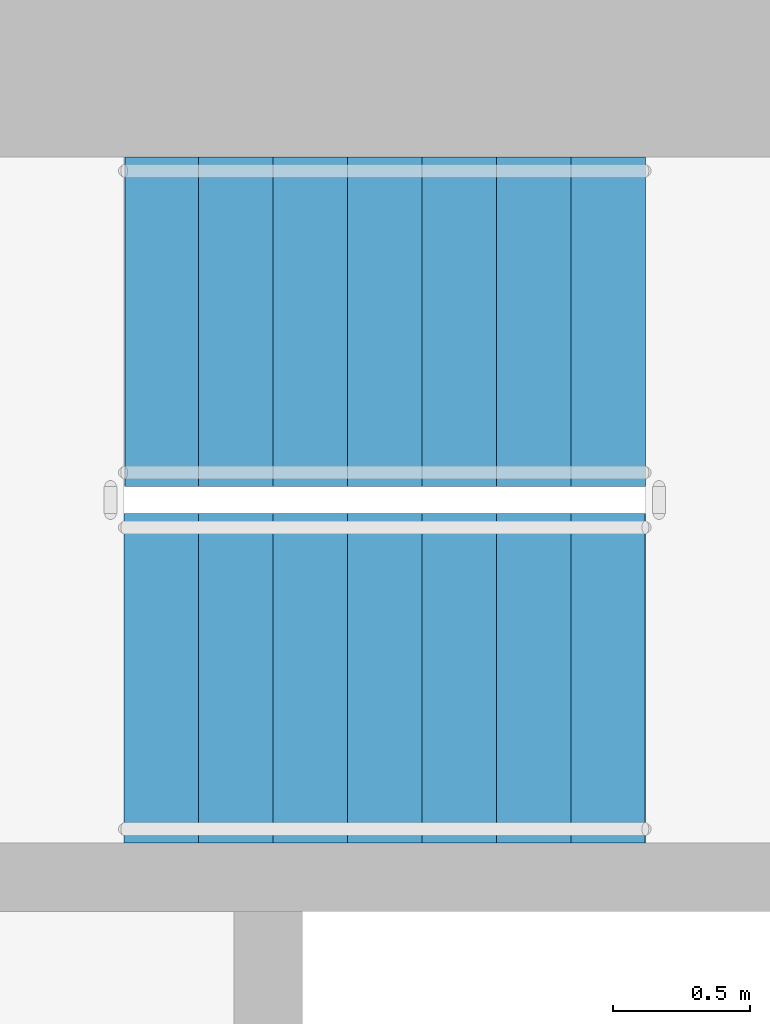
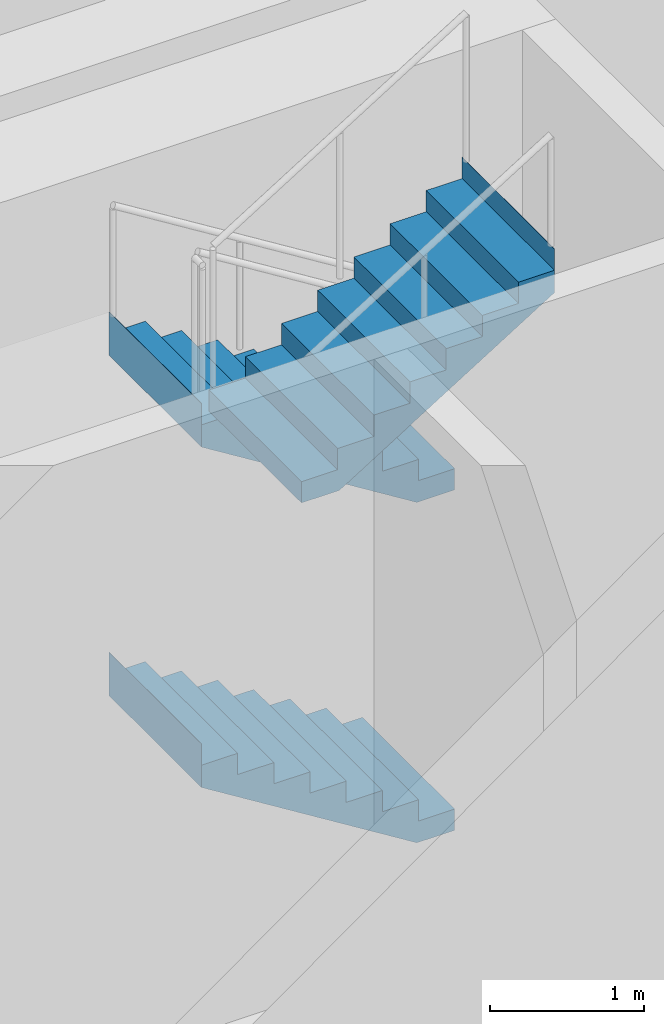
# One storey, part 35 of 42: 3 stair flights, 1 element without a shape of its own.
"""IFC4 building model written with IfcOpenShell, lengths in metres."""

from ifc_helpers import new_model, si_unit, direction, frame, origin, place, context, subcontext, project, spatial, triangles, material, type_object, element, aggregate, save


model = new_model("IFC4")

# Units and contexts
model_context = context("Model", 3, precision=1e-05, world=origin(), true_north=direction((0.0, 1.0)))
body_context = subcontext(model_context, "Body", "Model", "MODEL_VIEW")
ifc_project = project(units=[si_unit("LENGTHUNIT", "METRE"), si_unit("AREAUNIT", "SQUARE_METRE"), si_unit("VOLUMEUNIT", "CUBIC_METRE"), si_unit("PLANEANGLEUNIT", "RADIAN"), si_unit("MASSUNIT", "GRAM", prefix="KILO")], contexts=[model_context])

# Site, building, storey
site_placement = place(None, origin())
site = spatial("IfcSite", under=ifc_project, at=site_placement, CompositionType="ELEMENT")
building_placement = place(site_placement, origin())
building = spatial("IfcBuilding", under=site, at=building_placement, Name="Sahrelin Media Tower", CompositionType="ELEMENT")
storey_placement = place(building_placement, frame((0.0, 0.0, 26.0)))
storey = spatial("IfcBuildingStorey", under=building, at=storey_placement, Name="L03", CompositionType="ELEMENT", Elevation=26.0)

# Stair, stair flights
ifc_material = material(Name="Concrete C40/50", Category="concrete")
stair_type = type_object("IfcStairType", Name="Exit stair 1200", PredefinedType="HALF_TURN_STAIR", material=ifc_material)
stair_placement = place(storey_placement, origin())
stair = element("IfcStair", 1, at=stair_placement, inside=storey, type_object=stair_type, Name="L03 Exit stair ST3", PredefinedType="HALF_TURN_STAIR")
stair_flight_type = type_object("IfcStairFlightType", Name="Stair flight 1200", PredefinedType="STRAIGHT", material=ifc_material)
stair_flight_1_placement = place(storey_placement, frame((7.675048828125, 6.0, 0.0), z_axis=(0.0, 0.0, 1.0), x_axis=(-1.0, 0.0, 0.0)))
stair_flight_1 = element("IfcStairFlight", 2, at=stair_flight_1_placement, type_object=stair_flight_type, Name="ST3 flight 1", NumberOfRisers=8, NumberOfTreads=7, PredefinedType="STRAIGHT", RiserHeight=0.16875, TreadLength=0.271428571, context=body_context, shape_type="Tessellation", body=[
    triangles([(0.283935546875, 0.60009765625, 0.0), (0.283935546875, 0.300048828125, 0.0), (0.283935546875, 0.0, 0.0), (0.283935546875, -0.300048828125, 0.0), (0.283935546875, -0.60009765625, 0.0), (1.89990234375, 0.60009765625, 1.004638671875), (1.89990234375, 0.300048828125, 1.004638671875), (1.89990234375, 0.0, 1.004638671875), (1.89990234375, -0.300048828125, 1.004638671875), (1.89990234375, -0.60009765625, 1.004638671875), (1.89990234375, 0.60009765625, 1.35009765625), (1.89990234375, 0.300048828125, 1.35009765625), (1.89990234375, 0.0, 1.35009765625), (1.89990234375, -0.300048828125, 1.35009765625), (1.89990234375, -0.60009765625, 1.35009765625), (1.89794921875, 0.60009765625, 1.35009765625), (1.89794921875, 0.300048828125, 1.35009765625), (1.89794921875, 0.0, 1.35009765625), (1.89794921875, -0.300048828125, 1.35009765625), (1.89794921875, -0.60009765625, 1.35009765625), (1.89794921875, 0.60009765625, 1.18115234375), (1.89794921875, 0.300048828125, 1.18115234375), (1.89794921875, 0.0, 1.18115234375), (1.89794921875, -0.300048828125, 1.18115234375), (1.89794921875, -0.60009765625, 1.18115234375), (1.628662109375, 0.60009765625, 1.18115234375), (1.628662109375, 0.300048828125, 1.18115234375), (1.628662109375, 0.0, 1.18115234375), (1.628662109375, -0.300048828125, 1.18115234375), (1.628662109375, -0.60009765625, 1.18115234375), (1.628662109375, 0.60009765625, 1.012451171875), (1.628662109375, 0.300048828125, 1.012451171875), (1.628662109375, 0.0, 1.012451171875), (1.628662109375, -0.300048828125, 1.012451171875), (1.628662109375, -0.60009765625, 1.012451171875), (1.357177734375, 0.60009765625, 1.012451171875), (1.357177734375, 0.300048828125, 1.012451171875), (1.357177734375, 0.0, 1.012451171875), (1.357177734375, -0.300048828125, 1.012451171875), (1.357177734375, -0.60009765625, 1.012451171875), (1.357177734375, 0.60009765625, 0.84375), (1.357177734375, 0.300048828125, 0.84375), (1.357177734375, 0.0, 0.84375), (1.357177734375, -0.300048828125, 0.84375), (1.357177734375, -0.60009765625, 0.84375), (1.085693359375, 0.60009765625, 0.84375), (1.085693359375, 0.300048828125, 0.84375), (1.085693359375, 0.0, 0.84375), (1.085693359375, -0.300048828125, 0.84375), (1.085693359375, -0.60009765625, 0.84375), (1.085693359375, 0.60009765625, 0.675048828125), (1.085693359375, 0.300048828125, 0.675048828125), (1.085693359375, 0.0, 0.675048828125), (1.085693359375, -0.300048828125, 0.675048828125), (1.085693359375, -0.60009765625, 0.675048828125), (0.814208984375, 0.60009765625, 0.675048828125), (0.814208984375, 0.300048828125, 0.675048828125), (0.814208984375, 0.0, 0.675048828125), (0.814208984375, -0.300048828125, 0.675048828125), (0.814208984375, -0.60009765625, 0.675048828125), (0.814208984375, 0.60009765625, 0.50634765625), (0.814208984375, 0.300048828125, 0.50634765625), (0.814208984375, 0.0, 0.50634765625), (0.814208984375, -0.300048828125, 0.50634765625), (0.814208984375, -0.60009765625, 0.50634765625), (0.54296875, 0.60009765625, 0.50634765625), (0.54296875, 0.300048828125, 0.50634765625), (0.54296875, 0.0, 0.50634765625), (0.54296875, -0.300048828125, 0.50634765625), (0.54296875, -0.60009765625, 0.50634765625), (0.54296875, 0.60009765625, 0.33740234375), (0.54296875, 0.300048828125, 0.33740234375), (0.54296875, 0.0, 0.33740234375), (0.54296875, -0.300048828125, 0.33740234375), (0.54296875, -0.60009765625, 0.33740234375), (0.271484375, 0.60009765625, 0.33740234375), (0.271484375, 0.300048828125, 0.33740234375), (0.271484375, 0.0, 0.33740234375), (0.271484375, -0.300048828125, 0.33740234375), (0.271484375, -0.60009765625, 0.33740234375), (0.271484375, 0.60009765625, 0.168701171875), (0.271484375, 0.300048828125, 0.168701171875), (0.271484375, 0.0, 0.168701171875), (0.271484375, -0.300048828125, 0.168701171875), (0.271484375, -0.60009765625, 0.168701171875), (0.0, 0.60009765625, 0.168701171875), (0.0, 0.300048828125, 0.168701171875), (0.0, 0.0, 0.168701171875), (0.0, -0.300048828125, 0.168701171875), (0.0, -0.60009765625, 0.168701171875), (0.0, 0.60009765625, 0.0), (0.0, 0.300048828125, 0.0), (0.0, 0.0, 0.0), (0.0, -0.300048828125, 0.0), (0.0, -0.60009765625, 0.0)], [[1, 6, 7], [1, 7, 2], [2, 7, 8], [2, 8, 3], [3, 8, 9], [3, 9, 4], [4, 9, 10], [4, 10, 5], [6, 11, 12], [6, 12, 7], [7, 12, 13], [7, 13, 8], [8, 13, 14], [8, 14, 9], [9, 14, 15], [9, 15, 10], [11, 16, 17], [11, 17, 12], [12, 17, 18], [12, 18, 13], [13, 18, 19], [13, 19, 14], [14, 19, 20], [14, 20, 15], [16, 21, 22], [16, 22, 17], [17, 22, 23], [17, 23, 18], [18, 23, 24], [18, 24, 19], [19, 24, 25], [19, 25, 20], [21, 26, 27], [21, 27, 22], [22, 27, 28], [22, 28, 23], [23, 28, 29], [23, 29, 24], [24, 29, 30], [24, 30, 25], [26, 31, 32], [26, 32, 27], [27, 32, 33], [27, 33, 28], [28, 33, 34], [28, 34, 29], [29, 34, 35], [29, 35, 30], [31, 36, 37], [31, 37, 32], [32, 37, 38], [32, 38, 33], [33, 38, 39], [33, 39, 34], [34, 39, 40], [34, 40, 35], [36, 41, 42], [36, 42, 37], [37, 42, 43], [37, 43, 38], [38, 43, 44], [38, 44, 39], [39, 44, 45], [39, 45, 40], [41, 46, 47], [41, 47, 42], [42, 47, 48], [42, 48, 43], [43, 48, 49], [43, 49, 44], [44, 49, 50], [44, 50, 45], [46, 51, 52], [46, 52, 47], [47, 52, 53], [47, 53, 48], [48, 53, 54], [48, 54, 49], [49, 54, 55], [49, 55, 50], [51, 56, 57], [51, 57, 52], [52, 57, 58], [52, 58, 53], [53, 58, 59], [53, 59, 54], [54, 59, 60], [54, 60, 55], [56, 61, 62], [56, 62, 57], [57, 62, 63], [57, 63, 58], [58, 63, 64], [58, 64, 59], [59, 64, 65], [59, 65, 60], [61, 66, 67], [61, 67, 62], [62, 67, 68], [62, 68, 63], [63, 68, 69], [63, 69, 64], [64, 69, 70], [64, 70, 65], [66, 71, 72], [66, 72, 67], [67, 72, 73], [67, 73, 68], [68, 73, 74], [68, 74, 69], [69, 74, 75], [69, 75, 70], [71, 76, 77], [71, 77, 72], [72, 77, 78], [72, 78, 73], [73, 78, 79], [73, 79, 74], [74, 79, 80], [74, 80, 75], [76, 81, 82], [76, 82, 77], [77, 82, 83], [77, 83, 78], [78, 83, 84], [78, 84, 79], [79, 84, 85], [79, 85, 80], [81, 86, 87], [81, 87, 82], [82, 87, 88], [82, 88, 83], [83, 88, 89], [83, 89, 84], [84, 89, 90], [84, 90, 85], [86, 91, 92], [86, 92, 87], [87, 92, 93], [87, 93, 88], [88, 93, 94], [88, 94, 89], [89, 94, 95], [89, 95, 90], [91, 1, 2], [91, 2, 92], [92, 2, 3], [92, 3, 93], [93, 3, 4], [93, 4, 94], [94, 4, 5], [94, 5, 95], [85, 90, 95], [81, 91, 86], [85, 75, 80], [81, 76, 71], [75, 65, 70], [71, 66, 61], [65, 55, 60], [61, 56, 51], [55, 45, 50], [51, 46, 41], [45, 35, 40], [41, 36, 31], [35, 25, 30], [31, 26, 21], [25, 15, 20], [21, 16, 11], [95, 5, 85], [91, 81, 1], [5, 55, 65], [1, 61, 51], [25, 10, 15], [21, 11, 6], [75, 85, 5], [71, 1, 81], [10, 45, 55], [6, 51, 41], [35, 10, 25], [31, 21, 6], [65, 75, 5], [61, 1, 71], [45, 10, 35], [41, 31, 6], [5, 10, 55], [1, 51, 6]], closed=True),
])
stair_flight_2_placement = place(storey_placement, frame((7.675048828125, 6.0, 2.699951171875), z_axis=(0.0, 0.0, 1.0), x_axis=(-1.0, 0.0, 0.0)))
stair_flight_2 = element("IfcStairFlight", 3, at=stair_flight_2_placement, type_object=stair_flight_type, Name="ST3 flight 3", NumberOfRisers=8, NumberOfTreads=7, PredefinedType="STRAIGHT", RiserHeight=0.16875, TreadLength=0.271428571, context=body_context, shape_type="Tessellation", body=[
    triangles([(0.283935546875, 0.60009765625, 0.0), (0.283935546875, 0.300048828125, 0.0), (0.283935546875, 0.0, 0.0), (0.283935546875, -0.300048828125, 0.0), (0.283935546875, -0.60009765625, 0.0), (1.89990234375, 0.60009765625, 1.004638671875), (1.89990234375, 0.300048828125, 1.004638671875), (1.89990234375, 0.0, 1.004638671875), (1.89990234375, -0.300048828125, 1.004638671875), (1.89990234375, -0.60009765625, 1.004638671875), (1.89990234375, 0.60009765625, 1.35009765625), (1.89990234375, 0.300048828125, 1.35009765625), (1.89990234375, 0.0, 1.35009765625), (1.89990234375, -0.300048828125, 1.35009765625), (1.89990234375, -0.60009765625, 1.35009765625), (1.89794921875, 0.60009765625, 1.35009765625), (1.89794921875, 0.300048828125, 1.35009765625), (1.89794921875, 0.0, 1.35009765625), (1.89794921875, -0.300048828125, 1.35009765625), (1.89794921875, -0.60009765625, 1.35009765625), (1.89794921875, 0.60009765625, 1.18115234375), (1.89794921875, 0.300048828125, 1.18115234375), (1.89794921875, 0.0, 1.18115234375), (1.89794921875, -0.300048828125, 1.18115234375), (1.89794921875, -0.60009765625, 1.18115234375), (1.628662109375, 0.60009765625, 1.18115234375), (1.628662109375, 0.300048828125, 1.18115234375), (1.628662109375, 0.0, 1.18115234375), (1.628662109375, -0.300048828125, 1.18115234375), (1.628662109375, -0.60009765625, 1.18115234375), (1.628662109375, 0.60009765625, 1.012451171875), (1.628662109375, 0.300048828125, 1.012451171875), (1.628662109375, 0.0, 1.012451171875), (1.628662109375, -0.300048828125, 1.012451171875), (1.628662109375, -0.60009765625, 1.012451171875), (1.357177734375, 0.60009765625, 1.012451171875), (1.357177734375, 0.300048828125, 1.012451171875), (1.357177734375, 0.0, 1.012451171875), (1.357177734375, -0.300048828125, 1.012451171875), (1.357177734375, -0.60009765625, 1.012451171875), (1.357177734375, 0.60009765625, 0.84375), (1.357177734375, 0.300048828125, 0.84375), (1.357177734375, 0.0, 0.84375), (1.357177734375, -0.300048828125, 0.84375), (1.357177734375, -0.60009765625, 0.84375), (1.085693359375, 0.60009765625, 0.84375), (1.085693359375, 0.300048828125, 0.84375), (1.085693359375, 0.0, 0.84375), (1.085693359375, -0.300048828125, 0.84375), (1.085693359375, -0.60009765625, 0.84375), (1.085693359375, 0.60009765625, 0.675048828125), (1.085693359375, 0.300048828125, 0.675048828125), (1.085693359375, 0.0, 0.675048828125), (1.085693359375, -0.300048828125, 0.675048828125), (1.085693359375, -0.60009765625, 0.675048828125), (0.814208984375, 0.60009765625, 0.675048828125), (0.814208984375, 0.300048828125, 0.675048828125), (0.814208984375, 0.0, 0.675048828125), (0.814208984375, -0.300048828125, 0.675048828125), (0.814208984375, -0.60009765625, 0.675048828125), (0.814208984375, 0.60009765625, 0.50634765625), (0.814208984375, 0.300048828125, 0.50634765625), (0.814208984375, 0.0, 0.50634765625), (0.814208984375, -0.300048828125, 0.50634765625), (0.814208984375, -0.60009765625, 0.50634765625), (0.54296875, 0.60009765625, 0.50634765625), (0.54296875, 0.300048828125, 0.50634765625), (0.54296875, 0.0, 0.50634765625), (0.54296875, -0.300048828125, 0.50634765625), (0.54296875, -0.60009765625, 0.50634765625), (0.54296875, 0.60009765625, 0.33740234375), (0.54296875, 0.300048828125, 0.33740234375), (0.54296875, 0.0, 0.33740234375), (0.54296875, -0.300048828125, 0.33740234375), (0.54296875, -0.60009765625, 0.33740234375), (0.271484375, 0.60009765625, 0.33740234375), (0.271484375, 0.300048828125, 0.33740234375), (0.271484375, 0.0, 0.33740234375), (0.271484375, -0.300048828125, 0.33740234375), (0.271484375, -0.60009765625, 0.33740234375), (0.271484375, 0.60009765625, 0.168701171875), (0.271484375, 0.300048828125, 0.168701171875), (0.271484375, 0.0, 0.168701171875), (0.271484375, -0.300048828125, 0.168701171875), (0.271484375, -0.60009765625, 0.168701171875), (0.0, 0.60009765625, 0.168701171875), (0.0, 0.300048828125, 0.168701171875), (0.0, 0.0, 0.168701171875), (0.0, -0.300048828125, 0.168701171875), (0.0, -0.60009765625, 0.168701171875), (0.0, 0.60009765625, 0.0), (0.0, 0.300048828125, 0.0), (0.0, 0.0, 0.0), (0.0, -0.300048828125, 0.0), (0.0, -0.60009765625, 0.0)], [[1, 6, 7], [1, 7, 2], [2, 7, 8], [2, 8, 3], [3, 8, 9], [3, 9, 4], [4, 9, 10], [4, 10, 5], [6, 11, 12], [6, 12, 7], [7, 12, 13], [7, 13, 8], [8, 13, 14], [8, 14, 9], [9, 14, 15], [9, 15, 10], [11, 16, 17], [11, 17, 12], [12, 17, 18], [12, 18, 13], [13, 18, 19], [13, 19, 14], [14, 19, 20], [14, 20, 15], [16, 21, 22], [16, 22, 17], [17, 22, 23], [17, 23, 18], [18, 23, 24], [18, 24, 19], [19, 24, 25], [19, 25, 20], [21, 26, 27], [21, 27, 22], [22, 27, 28], [22, 28, 23], [23, 28, 29], [23, 29, 24], [24, 29, 30], [24, 30, 25], [26, 31, 32], [26, 32, 27], [27, 32, 33], [27, 33, 28], [28, 33, 34], [28, 34, 29], [29, 34, 35], [29, 35, 30], [31, 36, 37], [31, 37, 32], [32, 37, 38], [32, 38, 33], [33, 38, 39], [33, 39, 34], [34, 39, 40], [34, 40, 35], [36, 41, 42], [36, 42, 37], [37, 42, 43], [37, 43, 38], [38, 43, 44], [38, 44, 39], [39, 44, 45], [39, 45, 40], [41, 46, 47], [41, 47, 42], [42, 47, 48], [42, 48, 43], [43, 48, 49], [43, 49, 44], [44, 49, 50], [44, 50, 45], [46, 51, 52], [46, 52, 47], [47, 52, 53], [47, 53, 48], [48, 53, 54], [48, 54, 49], [49, 54, 55], [49, 55, 50], [51, 56, 57], [51, 57, 52], [52, 57, 58], [52, 58, 53], [53, 58, 59], [53, 59, 54], [54, 59, 60], [54, 60, 55], [56, 61, 62], [56, 62, 57], [57, 62, 63], [57, 63, 58], [58, 63, 64], [58, 64, 59], [59, 64, 65], [59, 65, 60], [61, 66, 67], [61, 67, 62], [62, 67, 68], [62, 68, 63], [63, 68, 69], [63, 69, 64], [64, 69, 70], [64, 70, 65], [66, 71, 72], [66, 72, 67], [67, 72, 73], [67, 73, 68], [68, 73, 74], [68, 74, 69], [69, 74, 75], [69, 75, 70], [71, 76, 77], [71, 77, 72], [72, 77, 78], [72, 78, 73], [73, 78, 79], [73, 79, 74], [74, 79, 80], [74, 80, 75], [76, 81, 82], [76, 82, 77], [77, 82, 83], [77, 83, 78], [78, 83, 84], [78, 84, 79], [79, 84, 85], [79, 85, 80], [81, 86, 87], [81, 87, 82], [82, 87, 88], [82, 88, 83], [83, 88, 89], [83, 89, 84], [84, 89, 90], [84, 90, 85], [86, 91, 92], [86, 92, 87], [87, 92, 93], [87, 93, 88], [88, 93, 94], [88, 94, 89], [89, 94, 95], [89, 95, 90], [91, 1, 2], [91, 2, 92], [92, 2, 3], [92, 3, 93], [93, 3, 4], [93, 4, 94], [94, 4, 5], [94, 5, 95], [85, 90, 95], [81, 91, 86], [85, 75, 80], [81, 76, 71], [75, 65, 70], [71, 66, 61], [65, 55, 60], [61, 56, 51], [55, 45, 50], [51, 46, 41], [45, 35, 40], [41, 36, 31], [35, 25, 30], [31, 26, 21], [25, 15, 20], [21, 16, 11], [95, 5, 85], [91, 81, 1], [5, 55, 65], [1, 61, 51], [25, 10, 15], [21, 11, 6], [75, 85, 5], [71, 1, 81], [10, 45, 55], [6, 51, 41], [35, 10, 25], [31, 21, 6], [65, 75, 5], [61, 1, 71], [45, 10, 35], [41, 31, 6], [5, 10, 55], [1, 51, 6]], closed=True),
])
stair_flight_3_placement = place(storey_placement, frame((5.77490234375, 4.699951171875, 4.050048828125), z_axis=(0.0, 0.0, 1.0), x_axis=(1.0, 0.0, 0.0)))
stair_flight_3 = element("IfcStairFlight", 4, at=stair_flight_3_placement, type_object=stair_flight_type, Name="ST3 flight 4", NumberOfRisers=8, NumberOfTreads=7, PredefinedType="STRAIGHT", RiserHeight=0.16875, TreadLength=0.271428571, context=body_context, shape_type="Tessellation", body=[
    triangles([(0.283935546875, 0.60009765625, 0.0), (0.283935546875, 0.300048828125, 0.0), (0.283935546875, 0.0, 0.0), (0.283935546875, -0.300048828125, 0.0), (0.283935546875, -0.60009765625, 0.0), (1.89990234375, 0.60009765625, 1.004638671875), (1.89990234375, 0.300048828125, 1.004638671875), (1.89990234375, 0.0, 1.004638671875), (1.89990234375, -0.300048828125, 1.004638671875), (1.89990234375, -0.60009765625, 1.004638671875), (1.89990234375, 0.60009765625, 1.35009765625), (1.89990234375, 0.300048828125, 1.35009765625), (1.89990234375, 0.0, 1.35009765625), (1.89990234375, -0.300048828125, 1.35009765625), (1.89990234375, -0.60009765625, 1.35009765625), (1.89794921875, 0.60009765625, 1.35009765625), (1.89794921875, 0.300048828125, 1.35009765625), (1.89794921875, 0.0, 1.35009765625), (1.89794921875, -0.300048828125, 1.35009765625), (1.89794921875, -0.60009765625, 1.35009765625), (1.89794921875, 0.60009765625, 1.18115234375), (1.89794921875, 0.300048828125, 1.18115234375), (1.89794921875, 0.0, 1.18115234375), (1.89794921875, -0.300048828125, 1.18115234375), (1.89794921875, -0.60009765625, 1.18115234375), (1.628662109375, 0.60009765625, 1.18115234375), (1.628662109375, 0.300048828125, 1.18115234375), (1.628662109375, 0.0, 1.18115234375), (1.628662109375, -0.300048828125, 1.18115234375), (1.628662109375, -0.60009765625, 1.18115234375), (1.628662109375, 0.60009765625, 1.012451171875), (1.628662109375, 0.300048828125, 1.012451171875), (1.628662109375, 0.0, 1.012451171875), (1.628662109375, -0.300048828125, 1.012451171875), (1.628662109375, -0.60009765625, 1.012451171875), (1.357177734375, 0.60009765625, 1.012451171875), (1.357177734375, 0.300048828125, 1.012451171875), (1.357177734375, 0.0, 1.012451171875), (1.357177734375, -0.300048828125, 1.012451171875), (1.357177734375, -0.60009765625, 1.012451171875), (1.357177734375, 0.60009765625, 0.84375), (1.357177734375, 0.300048828125, 0.84375), (1.357177734375, 0.0, 0.84375), (1.357177734375, -0.300048828125, 0.84375), (1.357177734375, -0.60009765625, 0.84375), (1.085693359375, 0.60009765625, 0.84375), (1.085693359375, 0.300048828125, 0.84375), (1.085693359375, 0.0, 0.84375), (1.085693359375, -0.300048828125, 0.84375), (1.085693359375, -0.60009765625, 0.84375), (1.085693359375, 0.60009765625, 0.675048828125), (1.085693359375, 0.300048828125, 0.675048828125), (1.085693359375, 0.0, 0.675048828125), (1.085693359375, -0.300048828125, 0.675048828125), (1.085693359375, -0.60009765625, 0.675048828125), (0.814208984375, 0.60009765625, 0.675048828125), (0.814208984375, 0.300048828125, 0.675048828125), (0.814208984375, 0.0, 0.675048828125), (0.814208984375, -0.300048828125, 0.675048828125), (0.814208984375, -0.60009765625, 0.675048828125), (0.814208984375, 0.60009765625, 0.50634765625), (0.814208984375, 0.300048828125, 0.50634765625), (0.814208984375, 0.0, 0.50634765625), (0.814208984375, -0.300048828125, 0.50634765625), (0.814208984375, -0.60009765625, 0.50634765625), (0.54296875, 0.60009765625, 0.50634765625), (0.54296875, 0.300048828125, 0.50634765625), (0.54296875, 0.0, 0.50634765625), (0.54296875, -0.300048828125, 0.50634765625), (0.54296875, -0.60009765625, 0.50634765625), (0.54296875, 0.60009765625, 0.33740234375), (0.54296875, 0.300048828125, 0.33740234375), (0.54296875, 0.0, 0.33740234375), (0.54296875, -0.300048828125, 0.33740234375), (0.54296875, -0.60009765625, 0.33740234375), (0.271484375, 0.60009765625, 0.33740234375), (0.271484375, 0.300048828125, 0.33740234375), (0.271484375, 0.0, 0.33740234375), (0.271484375, -0.300048828125, 0.33740234375), (0.271484375, -0.60009765625, 0.33740234375), (0.271484375, 0.60009765625, 0.168701171875), (0.271484375, 0.300048828125, 0.168701171875), (0.271484375, 0.0, 0.168701171875), (0.271484375, -0.300048828125, 0.168701171875), (0.271484375, -0.60009765625, 0.168701171875), (0.0, 0.60009765625, 0.168701171875), (0.0, 0.300048828125, 0.168701171875), (0.0, 0.0, 0.168701171875), (0.0, -0.300048828125, 0.168701171875), (0.0, -0.60009765625, 0.168701171875), (0.0, 0.60009765625, 0.0), (0.0, 0.300048828125, 0.0), (0.0, 0.0, 0.0), (0.0, -0.300048828125, 0.0), (0.0, -0.60009765625, 0.0)], [[1, 6, 7], [1, 7, 2], [2, 7, 8], [2, 8, 3], [3, 8, 9], [3, 9, 4], [4, 9, 10], [4, 10, 5], [6, 11, 12], [6, 12, 7], [7, 12, 13], [7, 13, 8], [8, 13, 14], [8, 14, 9], [9, 14, 15], [9, 15, 10], [11, 16, 17], [11, 17, 12], [12, 17, 18], [12, 18, 13], [13, 18, 19], [13, 19, 14], [14, 19, 20], [14, 20, 15], [16, 21, 22], [16, 22, 17], [17, 22, 23], [17, 23, 18], [18, 23, 24], [18, 24, 19], [19, 24, 25], [19, 25, 20], [21, 26, 27], [21, 27, 22], [22, 27, 28], [22, 28, 23], [23, 28, 29], [23, 29, 24], [24, 29, 30], [24, 30, 25], [26, 31, 32], [26, 32, 27], [27, 32, 33], [27, 33, 28], [28, 33, 34], [28, 34, 29], [29, 34, 35], [29, 35, 30], [31, 36, 37], [31, 37, 32], [32, 37, 38], [32, 38, 33], [33, 38, 39], [33, 39, 34], [34, 39, 40], [34, 40, 35], [36, 41, 42], [36, 42, 37], [37, 42, 43], [37, 43, 38], [38, 43, 44], [38, 44, 39], [39, 44, 45], [39, 45, 40], [41, 46, 47], [41, 47, 42], [42, 47, 48], [42, 48, 43], [43, 48, 49], [43, 49, 44], [44, 49, 50], [44, 50, 45], [46, 51, 52], [46, 52, 47], [47, 52, 53], [47, 53, 48], [48, 53, 54], [48, 54, 49], [49, 54, 55], [49, 55, 50], [51, 56, 57], [51, 57, 52], [52, 57, 58], [52, 58, 53], [53, 58, 59], [53, 59, 54], [54, 59, 60], [54, 60, 55], [56, 61, 62], [56, 62, 57], [57, 62, 63], [57, 63, 58], [58, 63, 64], [58, 64, 59], [59, 64, 65], [59, 65, 60], [61, 66, 67], [61, 67, 62], [62, 67, 68], [62, 68, 63], [63, 68, 69], [63, 69, 64], [64, 69, 70], [64, 70, 65], [66, 71, 72], [66, 72, 67], [67, 72, 73], [67, 73, 68], [68, 73, 74], [68, 74, 69], [69, 74, 75], [69, 75, 70], [71, 76, 77], [71, 77, 72], [72, 77, 78], [72, 78, 73], [73, 78, 79], [73, 79, 74], [74, 79, 80], [74, 80, 75], [76, 81, 82], [76, 82, 77], [77, 82, 83], [77, 83, 78], [78, 83, 84], [78, 84, 79], [79, 84, 85], [79, 85, 80], [81, 86, 87], [81, 87, 82], [82, 87, 88], [82, 88, 83], [83, 88, 89], [83, 89, 84], [84, 89, 90], [84, 90, 85], [86, 91, 92], [86, 92, 87], [87, 92, 93], [87, 93, 88], [88, 93, 94], [88, 94, 89], [89, 94, 95], [89, 95, 90], [91, 1, 2], [91, 2, 92], [92, 2, 3], [92, 3, 93], [93, 3, 4], [93, 4, 94], [94, 4, 5], [94, 5, 95], [85, 90, 95], [81, 91, 86], [85, 75, 80], [81, 76, 71], [75, 65, 70], [71, 66, 61], [65, 55, 60], [61, 56, 51], [55, 45, 50], [51, 46, 41], [45, 35, 40], [41, 36, 31], [35, 25, 30], [31, 26, 21], [25, 15, 20], [21, 16, 11], [95, 5, 85], [91, 81, 1], [5, 55, 65], [1, 61, 51], [25, 10, 15], [21, 11, 6], [75, 85, 5], [71, 1, 81], [10, 45, 55], [6, 51, 41], [35, 10, 25], [31, 21, 6], [65, 75, 5], [61, 1, 71], [45, 10, 35], [41, 31, 6], [5, 10, 55], [1, 51, 6]], closed=True),
])
aggregate(stair, [stair_flight_1, stair_flight_2, stair_flight_3])

save(model, "model.ifc")
